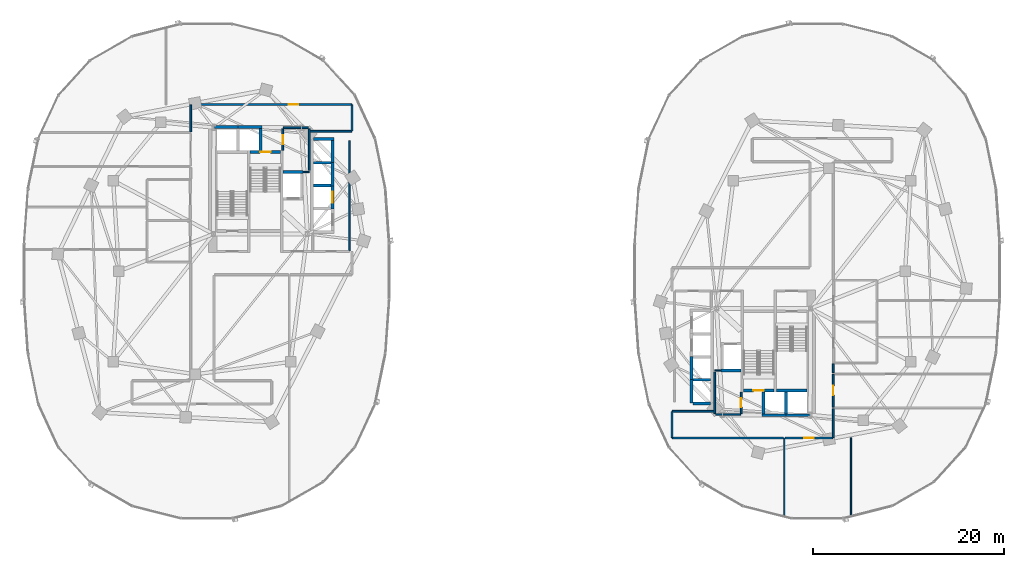
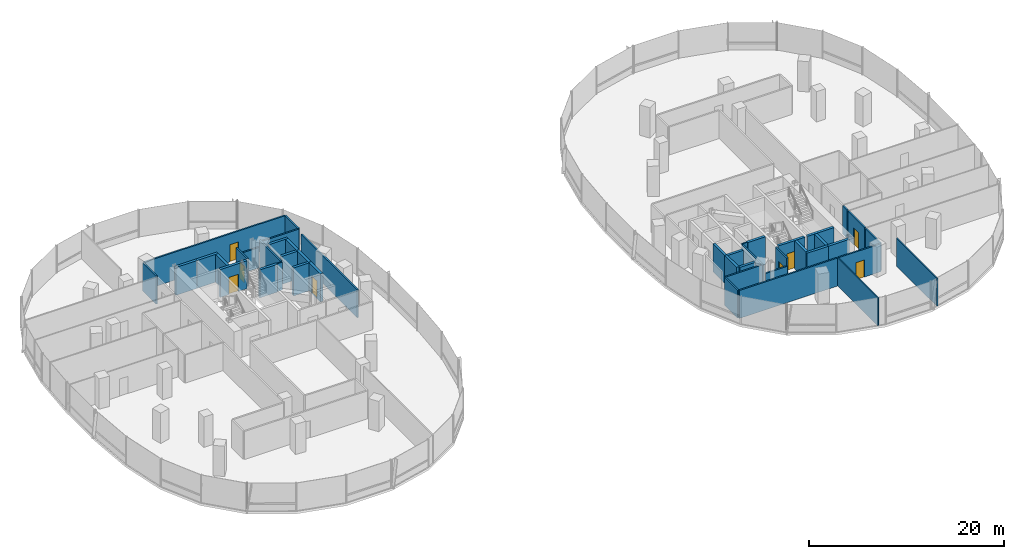
# One storey, part 12 of 21: 44 walls, 8 doors, 8 openings.
"""IFC4 building model written with IfcOpenShell, lengths in metres."""

from ifc_helpers import new_model, si_unit, direction, frame, frame_2d, origin, place, context, subcontext, project, spatial, rectangle, extrude, material, layer, layer_set, type_object, element, fill, save


model = new_model("IFC4")

# Units and contexts
model_context = context("Model", 3, precision=1e-05, world=origin(), true_north=direction((0.0, 1.0)))
body_context = subcontext(model_context, "Body", "Model", "MODEL_VIEW")
ifc_project = project(units=[si_unit("LENGTHUNIT", "METRE"), si_unit("AREAUNIT", "SQUARE_METRE"), si_unit("VOLUMEUNIT", "CUBIC_METRE"), si_unit("PLANEANGLEUNIT", "RADIAN"), si_unit("MASSUNIT", "GRAM", prefix="KILO"), si_unit("THERMODYNAMICTEMPERATUREUNIT", "KELVIN"), si_unit("POWERUNIT", "WATT")], contexts=[model_context])

# Site, building, storey
site_placement = place(None, origin())
site = spatial("IfcSite", under=ifc_project, at=site_placement, CompositionType="ELEMENT")
building_placement = place(site_placement, origin())
building = spatial("IfcBuilding", under=site, at=building_placement, Name="Cundina Bronze Exchange", CompositionType="ELEMENT")
storey_placement = place(building_placement, frame((0.0, 0.0, 27.800048828125)))
storey = spatial("IfcBuildingStorey", under=building, at=storey_placement, Name="L06", CompositionType="ELEMENT", Elevation=27.800048828125)

# Walls
ifc_material_1 = material(Name="Gypsum Fireboard Partition EI120")
ifc_layer_1 = layer(ifc_material_1, 0.179931640625, Name="Gypsum Fireboard Partition EI120")
ifc_layer_set_1 = layer_set([ifc_layer_1], Name="Gypsum Fireboard Partition EI120")
wall_type_1 = type_object("IfcWallType", Name="WL-COR-180", PredefinedType="PARTITIONING", material=ifc_layer_set_1)
wall_1_placement = place(storey_placement, frame((-17.02001953125, 2.169921875, 0.0), z_axis=(0.0, 0.0, 1.0), x_axis=(0.0, 1.0, 0.0)))
element("IfcWall", 1, at=wall_1_placement, inside=storey, type_object=wall_type_1, Name="L06 Interior Partition 001", PredefinedType="PARTITIONING", context=body_context, shape_type="SweptSolid", body=[
    extrude(rectangle(XDim=11.510009765625, YDim=0.179931640625, at=frame_2d((5.7548828125, 0.0))), origin(), (0.0, 0.0, 1.0), 3.5),
])
wall_2_placement = place(storey_placement, frame((-21.25, 10.570068359375, 0.0), z_axis=(0.0, 0.0, 1.0), x_axis=(0.0, 1.0, 0.0)))
element("IfcWall", 2, at=wall_2_placement, inside=storey, type_object=wall_type_1, Name="L06 Interior Partition 004", PredefinedType="PARTITIONING", context=body_context, shape_type="SweptSolid", body=[
    extrude(rectangle(XDim=4.35986328125, YDim=0.179931640625, at=frame_2d((2.179931640625, 0.0))), origin(), (0.0, 0.0, 1.0), 3.5),
])
wall_3_placement = place(storey_placement, frame((-23.9599609375, 15.030029296875, 0.0), z_axis=(0.0, 0.0, 1.0), x_axis=(1.0, 0.0, 0.0)))
element("IfcWall", 3, at=wall_3_placement, inside=storey, type_object=wall_type_1, Name="L06 Interior Partition 005", PredefinedType="PARTITIONING", context=body_context, shape_type="SweptSolid", body=[
    extrude(rectangle(XDim=2.60986328125, YDim=0.179931640625, at=frame_2d((1.304931640625, 0.0))), origin(), (0.0, 0.0, 1.0), 2.572998046875),
])

# Wall, opening, door
wall_4_placement = place(storey_placement, frame((-24.02001953125, 12.669921875, 0.0), z_axis=(0.0, 0.0, 1.0), x_axis=(0.0, 1.0, 0.0)))
wall_4 = element("IfcWall", 4, at=wall_4_placement, inside=storey, type_object=wall_type_1, Name="L06 Interior Partition 006", PredefinedType="PARTITIONING", context=body_context, shape_type="SweptSolid", body=[
    extrude(rectangle(XDim=2.260009765625, YDim=0.179931640625, at=frame_2d((1.1298828125, 0.0))), origin(), (0.0, 0.0, 1.0), 3.5),
])
opening_1_placement = place(wall_4_placement, frame((0.655029296875, 0.0, 0.0)))
opening_1 = element("IfcOpeningElement", 5, at=opening_1_placement, cuts=wall_4, Name="Opening DW-01", PredefinedType="OPENING", context=body_context, shape_type="SweptSolid", body=[
    extrude(rectangle(XDim=0.949951171875, YDim=2.10009765625, at=frame_2d((0.47509765625, 1.050048828125))), frame((0.0, 0.099853515625, 0.0), z_axis=(0.0, -1.0, 0.0), x_axis=(1.0, 0.0, 0.0)), (0.0, 0.0, 1.0), 0.199951171875),
])
ifc_material_2 = material(Name="Solid Andean Oak Timber Grade A", Category="wood")
door_type_1 = type_object("IfcDoorType", Name="DR-WC-950", OperationType="NOTDEFINED", PredefinedType="DOOR", material=ifc_material_2)
door_1_placement = place(opening_1_placement, origin())
door_1 = element("IfcDoor", 6, at=door_1_placement, inside=storey, type_object=door_type_1, Name="L06 Interior Door 006", OperationType="SINGLE_SWING_LEFT", OverallHeight=2.10009765625, OverallWidth=0.949951171875, PredefinedType="DOOR", context=body_context, shape_type="SweptSolid", body=[
    extrude(rectangle(XDim=0.949951171875, YDim=2.10009765625, at=frame_2d((0.47509765625, 1.050048828125))), frame((0.0, 0.02490234375, 0.0), z_axis=(0.0, -1.0, 0.0), x_axis=(1.0, 0.0, 0.0)), (0.0, 0.0, 1.0), 0.050048828125),
])
fill(opening_1, door_1)

wall_5_placement = place(storey_placement, frame((-16.821533203125, 17.469970703125, 0.0), z_axis=(0.0, 0.0, 1.0), x_axis=(-1.0, 0.0, 0.0)))
wall_5 = element("IfcWall", 7, at=wall_5_placement, inside=storey, type_object=wall_type_1, Name="L06 Interior Partition 028", PredefinedType="PARTITIONING", context=body_context, shape_type="SweptSolid", body=[
    extrude(rectangle(XDim=16.806884765625, YDim=0.179931640625, at=frame_2d((8.4033203125, 0.0))), origin(), (0.0, 0.0, 1.0), 3.5),
])
opening_2_placement = place(wall_5_placement, frame((5.568603515625, 0.0, 0.0)))
opening_2 = element("IfcOpeningElement", 8, at=opening_2_placement, cuts=wall_5, Name="Opening DO-01", PredefinedType="OPENING", context=body_context, shape_type="SweptSolid", body=[
    extrude(rectangle(XDim=1.0, YDim=2.14990234375, at=frame_2d((0.5, 1.074951171875))), frame((0.0, 0.099853515625, 0.0), z_axis=(0.0, -1.0, 0.0), x_axis=(1.0, 0.0, 0.0)), (0.0, 0.0, 1.0), 0.199951171875),
])
door_type_2 = type_object("IfcDoorType", Name="DR-OFF-1000", OperationType="NOTDEFINED", PredefinedType="DOOR", material=ifc_material_2)
door_2_placement = place(opening_2_placement, origin())
door_2 = element("IfcDoor", 9, at=door_2_placement, inside=storey, type_object=door_type_2, Name="L06 Interior Door 028", OperationType="SINGLE_SWING_LEFT", OverallHeight=2.14990234375, OverallWidth=1.0, PredefinedType="DOOR", context=body_context, shape_type="SweptSolid", body=[
    extrude(rectangle(XDim=1.0, YDim=2.14990234375, at=frame_2d((0.5, 1.074951171875))), frame((0.0, 0.02490234375, 0.0), z_axis=(0.0, -1.0, 0.0), x_axis=(1.0, 0.0, 0.0)), (0.0, 0.0, 1.0), 0.050048828125),
])
fill(opening_2, door_2)

# Walls
wall_6_placement = place(storey_placement, frame((-21.178466796875, 14.679931640625, 0.0), z_axis=(0.0, 0.0, 1.0), x_axis=(1.0, 0.0, 0.0)))
element("IfcWall", 10, at=wall_6_placement, inside=storey, type_object=wall_type_1, Name="L06 Interior Partition 030", PredefinedType="PARTITIONING", context=body_context, shape_type="SweptSolid", body=[
    extrude(rectangle(XDim=4.35693359375, YDim=0.179931640625, at=frame_2d((2.178466796875, 0.0))), origin(), (0.0, 0.0, 1.0), 3.5),
])
wall_7_placement = place(storey_placement, frame((-33.669921875, 17.428466796875, 0.0), z_axis=(0.0, 0.0, 1.0), x_axis=(0.0, -1.0, 0.0)))
element("IfcWall", 11, at=wall_7_placement, inside=storey, type_object=wall_type_1, Name="L06 Interior Partition 031", PredefinedType="PARTITIONING", context=body_context, shape_type="SweptSolid", body=[
    extrude(rectangle(XDim=2.818359375, YDim=0.179931640625, at=frame_2d((1.4091796875, 0.0))), origin(), (0.0, 0.0, 1.0), 3.5),
])
wall_8_placement = place(storey_placement, frame((-16.780029296875, 14.721435546875, 0.0), z_axis=(0.0, 0.0, 1.0), x_axis=(0.0, 1.0, 0.0)))
element("IfcWall", 12, at=wall_8_placement, inside=storey, type_object=wall_type_1, Name="L06 Interior Partition 032", PredefinedType="PARTITIONING", context=body_context, shape_type="SweptSolid", body=[
    extrude(rectangle(XDim=2.70703125, YDim=0.179931640625, at=frame_2d((1.353515625, 0.0))), origin(), (0.0, 0.0, 1.0), 3.5),
])
wall_9_placement = place(storey_placement, frame((21.25, -14.929931640625, 0.0), z_axis=(0.0, 0.0, 1.0), x_axis=(0.0, 1.0, 0.0)))
element("IfcWall", 13, at=wall_9_placement, inside=storey, type_object=wall_type_1, Name="L06 Interior Partition 041", PredefinedType="PARTITIONING", context=body_context, shape_type="SweptSolid", body=[
    extrude(rectangle(XDim=4.35986328125, YDim=0.179931640625, at=frame_2d((2.179931640625, 0.0))), origin(), (0.0, 0.0, 1.0), 3.5),
])
wall_10_placement = place(storey_placement, frame((21.35009765625, -15.030029296875, 0.0), z_axis=(0.0, 0.0, 1.0), x_axis=(1.0, 0.0, 0.0)))
element("IfcWall", 14, at=wall_10_placement, inside=storey, type_object=wall_type_1, Name="L06 Interior Partition 042", PredefinedType="PARTITIONING", context=body_context, shape_type="SweptSolid", body=[
    extrude(rectangle(XDim=2.60986328125, YDim=0.179931640625, at=frame_2d((1.304931640625, 0.0))), origin(), (0.0, 0.0, 1.0), 2.572998046875),
])

# Wall, opening, door
wall_11_placement = place(storey_placement, frame((24.02001953125, -14.929931640625, 0.0), z_axis=(0.0, 0.0, 1.0), x_axis=(0.0, 1.0, 0.0)))
wall_11 = element("IfcWall", 15, at=wall_11_placement, inside=storey, type_object=wall_type_1, Name="L06 Interior Partition 043", PredefinedType="PARTITIONING", context=body_context, shape_type="SweptSolid", body=[
    extrude(rectangle(XDim=2.260009765625, YDim=0.179931640625, at=frame_2d((1.1298828125, 0.0))), origin(), (0.0, 0.0, 1.0), 3.5),
])
opening_3_placement = place(wall_11_placement, frame((0.655029296875, 0.0, 0.0)))
opening_3 = element("IfcOpeningElement", 16, at=opening_3_placement, cuts=wall_11, Name="Opening DW-01", PredefinedType="OPENING", context=body_context, shape_type="SweptSolid", body=[
    extrude(rectangle(XDim=0.949951171875, YDim=2.10009765625, at=frame_2d((0.47509765625, 1.050048828125))), frame((0.0, 0.099853515625, 0.0), z_axis=(0.0, -1.0, 0.0), x_axis=(1.0, 0.0, 0.0)), (0.0, 0.0, 1.0), 0.199951171875),
])
door_3_placement = place(opening_3_placement, origin())
door_3 = element("IfcDoor", 17, at=door_3_placement, inside=storey, type_object=door_type_1, Name="L06 Interior Door 043", OperationType="SINGLE_SWING_RIGHT", OverallHeight=2.10009765625, OverallWidth=0.949951171875, PredefinedType="DOOR", context=body_context, shape_type="SweptSolid", body=[
    extrude(rectangle(XDim=0.949951171875, YDim=2.10009765625, at=frame_2d((0.47509765625, 1.050048828125))), frame((0.0, 0.02490234375, 0.0), z_axis=(0.0, -1.0, 0.0), x_axis=(1.0, 0.0, 0.0)), (0.0, 0.0, 1.0), 0.050048828125),
])
fill(opening_3, door_3)

wall_12_placement = place(storey_placement, frame((28.6298828125, -17.469970703125, 0.0), z_axis=(0.0, 0.0, 1.0), x_axis=(1.0, 0.0, 0.0)))
wall_12 = element("IfcWall", 18, at=wall_12_placement, inside=storey, type_object=wall_type_1, Name="L06 Interior Partition 057", PredefinedType="PARTITIONING", context=body_context, shape_type="SweptSolid", body=[
    extrude(rectangle(XDim=4.99853515625, YDim=0.179931640625, at=frame_2d((2.499267578125, 0.0))), origin(), (0.0, 0.0, 1.0), 3.5),
])
opening_4_placement = place(wall_12_placement, frame((1.999267578125, 0.0, 0.0)))
opening_4 = element("IfcOpeningElement", 19, at=opening_4_placement, cuts=wall_12, Name="Opening DO-01", PredefinedType="OPENING", context=body_context, shape_type="SweptSolid", body=[
    extrude(rectangle(XDim=1.0, YDim=2.14990234375, at=frame_2d((0.5, 1.074951171875))), frame((0.0, 0.099853515625, 0.0), z_axis=(0.0, -1.0, 0.0), x_axis=(1.0, 0.0, 0.0)), (0.0, 0.0, 1.0), 0.199951171875),
])
door_4_placement = place(opening_4_placement, origin())
door_4 = element("IfcDoor", 20, at=door_4_placement, inside=storey, type_object=door_type_2, Name="L06 Interior Door 057", OperationType="SINGLE_SWING_RIGHT", OverallHeight=2.14990234375, OverallWidth=1.0, PredefinedType="DOOR", context=body_context, shape_type="SweptSolid", body=[
    extrude(rectangle(XDim=1.0, YDim=2.14990234375, at=frame_2d((0.5, 1.074951171875))), frame((0.0, 0.02490234375, 0.0), z_axis=(0.0, -1.0, 0.0), x_axis=(1.0, 0.0, 0.0)), (0.0, 0.0, 1.0), 0.050048828125),
])
fill(opening_4, door_4)

# Wall
wall_13_placement = place(storey_placement, frame((33.669921875, -17.428466796875, 0.0), z_axis=(0.0, 0.0, 1.0), x_axis=(0.0, 1.0, 0.0)))
element("IfcWall", 21, at=wall_13_placement, inside=storey, type_object=wall_type_1, Name="L06 Interior Partition 058", PredefinedType="PARTITIONING", context=body_context, shape_type="SweptSolid", body=[
    extrude(rectangle(XDim=3.0185546875, YDim=0.179931640625, at=frame_2d((1.50927734375, 0.0))), origin(), (0.0, 0.0, 1.0), 3.5),
])

# Wall, opening, door
wall_14_placement = place(storey_placement, frame((33.669921875, -14.22998046875, 0.0), z_axis=(0.0, 0.0, 1.0), x_axis=(0.0, 1.0, 0.0)))
wall_14 = element("IfcWall", 22, at=wall_14_placement, inside=storey, type_object=wall_type_1, Name="L06 Interior Partition 059", PredefinedType="PARTITIONING", context=body_context, shape_type="SweptSolid", body=[
    extrude(rectangle(XDim=3.419921875, YDim=0.179931640625, at=frame_2d((1.7099609375, 0.0))), origin(), (0.0, 0.0, 1.0), 3.5),
])
opening_5_placement = place(wall_14_placement, frame((1.2099609375, 0.0, 0.0)))
opening_5 = element("IfcOpeningElement", 23, at=opening_5_placement, cuts=wall_14, Name="Opening DO-01", PredefinedType="OPENING", context=body_context, shape_type="SweptSolid", body=[
    extrude(rectangle(XDim=1.0, YDim=2.14990234375, at=frame_2d((0.5, 1.074951171875))), frame((0.0, 0.099853515625, 0.0), z_axis=(0.0, -1.0, 0.0), x_axis=(1.0, 0.0, 0.0)), (0.0, 0.0, 1.0), 0.199951171875),
])
door_5_placement = place(opening_5_placement, origin())
door_5 = element("IfcDoor", 24, at=door_5_placement, inside=storey, type_object=door_type_2, Name="L06 Interior Door 059", OperationType="SINGLE_SWING_RIGHT", OverallHeight=2.14990234375, OverallWidth=1.0, PredefinedType="DOOR", context=body_context, shape_type="SweptSolid", body=[
    extrude(rectangle(XDim=1.0, YDim=2.14990234375, at=frame_2d((0.5, 1.074951171875))), frame((0.0, 0.02490234375, 0.0), z_axis=(0.0, -1.0, 0.0), x_axis=(1.0, 0.0, 0.0)), (0.0, 0.0, 1.0), 0.050048828125),
])
fill(opening_5, door_5)

# Walls
wall_15_placement = place(storey_placement, frame((33.669921875, -10.6298828125, 0.0), z_axis=(0.0, 0.0, 1.0), x_axis=(0.0, 1.0, 0.0)))
element("IfcWall", 25, at=wall_15_placement, inside=storey, type_object=wall_type_1, Name="L06 Interior Partition 060", PredefinedType="PARTITIONING", context=body_context, shape_type="SweptSolid", body=[
    extrude(rectangle(XDim=0.928466796875, YDim=0.179931640625, at=frame_2d((0.46435546875, 0.0))), origin(), (0.0, 0.0, 1.0), 3.5),
])
wall_16_placement = place(storey_placement, frame((16.821533203125, -17.469970703125, 0.0), z_axis=(0.0, 0.0, 1.0), x_axis=(1.0, 0.0, 0.0)))
element("IfcWall", 26, at=wall_16_placement, inside=storey, type_object=wall_type_1, Name="L06 Interior Partition 064", PredefinedType="PARTITIONING", context=body_context, shape_type="SweptSolid", body=[
    extrude(rectangle(XDim=11.62841796875, YDim=0.179931640625, at=frame_2d((5.814208984375, 0.0))), origin(), (0.0, 0.0, 1.0), 3.5),
])
wall_17_placement = place(storey_placement, frame((21.178466796875, -14.679931640625, 0.0), z_axis=(0.0, 0.0, 1.0), x_axis=(-1.0, 0.0, 0.0)))
element("IfcWall", 27, at=wall_17_placement, inside=storey, type_object=wall_type_1, Name="L06 Interior Partition 068", PredefinedType="PARTITIONING", context=body_context, shape_type="SweptSolid", body=[
    extrude(rectangle(XDim=4.35693359375, YDim=0.179931640625, at=frame_2d((2.178466796875, 0.0))), origin(), (0.0, 0.0, 1.0), 3.5),
])
wall_18_placement = place(storey_placement, frame((16.780029296875, -14.721435546875, 0.0), z_axis=(0.0, 0.0, 1.0), x_axis=(0.0, -1.0, 0.0)))
element("IfcWall", 28, at=wall_18_placement, inside=storey, type_object=wall_type_1, Name="L06 Interior Partition 069", PredefinedType="PARTITIONING", context=body_context, shape_type="SweptSolid", body=[
    extrude(rectangle(XDim=2.70703125, YDim=0.179931640625, at=frame_2d((1.353515625, 0.0))), origin(), (0.0, 0.0, 1.0), 3.5),
])
ifc_material_3 = material(Name="Gypsum Acoustic Partition EI60")
ifc_layer_2 = layer(ifc_material_3, 0.125, Name="Gypsum Acoustic Partition EI60")
ifc_layer_set_2 = layer_set([ifc_layer_2], Name="Gypsum Acoustic Partition EI60")
wall_type_2 = type_object("IfcWallType", Name="WL-OFF-125", PredefinedType="PARTITIONING", material=ifc_layer_set_2)
wall_19_placement = place(storey_placement, frame((28.5400390625, -25.793701171875, 0.0), z_axis=(0.0, 0.0, 1.0), x_axis=(0.0, 1.0, 0.0)))
element("IfcWall", 29, at=wall_19_placement, inside=storey, type_object=wall_type_2, Name="L06 Interior Partition 055", PredefinedType="PARTITIONING", context=body_context, shape_type="SweptSolid", body=[
    extrude(rectangle(XDim=8.293701171875, YDim=0.125, at=frame_2d((4.14697265625, 0.0))), origin(), (0.0, 0.0, 1.0), 3.5),
])
wall_20_placement = place(storey_placement, frame((35.5400390625, -25.7734375, 0.0), z_axis=(0.0, 0.0, 1.0), x_axis=(0.0, 1.0, 0.0)))
element("IfcWall", 30, at=wall_20_placement, inside=storey, type_object=wall_type_2, Name="L06 Interior Partition 056", PredefinedType="PARTITIONING", context=body_context, shape_type="SweptSolid", body=[
    extrude(rectangle(XDim=8.303466796875, YDim=0.125, at=frame_2d((4.15185546875, 0.0))), origin(), (0.0, 0.0, 1.0), 3.5),
])

# Wall, opening, door
ifc_material_4 = material(Name="Concrete C50/60", Category="concrete")
ifc_layer_3 = layer(ifc_material_4, 0.300048828125, Name="Concrete C50/60", Category="concrete")
ifc_layer_set_3 = layer_set([ifc_layer_3], Name="Concrete C50/60")
wall_type_3 = type_object("IfcWallType", Name="WL-SHFT-300", PredefinedType="SHEAR", material=ifc_layer_set_3)
wall_21_placement = place(storey_placement, frame((-27.43994140625, 12.5, 0.0), z_axis=(0.0, 0.0, 1.0), x_axis=(1.0, 0.0, 0.0)))
wall_21 = element("IfcWall", 31, at=wall_21_placement, inside=storey, type_object=wall_type_3, Name="L06 Stair W2 Landing Wall", PredefinedType="SHEAR", context=body_context, shape_type="SweptSolid", body=[
    extrude(rectangle(XDim=3.159912109375, YDim=0.300048828125, at=frame_2d((1.580078125, 0.0))), origin(), (0.0, 0.0, 1.0), 3.5),
])
opening_6_placement = place(wall_21_placement, frame((1.030029296875, 0.0, 0.0)))
opening_6 = element("IfcOpeningElement", 32, at=opening_6_placement, cuts=wall_21, Name="Opening DS-01", PredefinedType="OPENING", context=body_context, shape_type="SweptSolid", body=[
    extrude(rectangle(XDim=1.10009765625, YDim=2.14990234375, at=frame_2d((0.550048828125, 1.074951171875))), frame((0.0, 0.159912109375, 0.0), z_axis=(0.0, -1.0, 0.0), x_axis=(1.0, 0.0, 0.0)), (0.0, 0.0, 1.0), 0.320068359375),
])
ifc_material_5 = material(Name="Steel ASTM A36 Painted", Category="steel")
door_type_3 = type_object("IfcDoorType", Name="DR-STR-1100", OperationType="NOTDEFINED", PredefinedType="DOOR", material=ifc_material_5)
door_6_placement = place(opening_6_placement, origin())
door_6 = element("IfcDoor", 33, at=door_6_placement, inside=storey, type_object=door_type_3, Name="L06 Smokeproof Stair W2 Door", OperationType="SINGLE_SWING_LEFT", OverallHeight=2.14990234375, OverallWidth=1.10009765625, PredefinedType="DOOR", context=body_context, shape_type="SweptSolid", body=[
    extrude(rectangle(XDim=1.10009765625, YDim=2.14990234375, at=frame_2d((0.550048828125, 1.074951171875))), frame((0.0, 0.02490234375, 0.0), z_axis=(0.0, -1.0, 0.0), x_axis=(1.0, 0.0, 0.0)), (0.0, 0.0, 1.0), 0.050048828125),
])
fill(opening_6, door_6)

# Walls
wall_22_placement = place(storey_placement, frame((-23.97998046875, 10.39990234375, 0.0), z_axis=(0.0, 0.0, 1.0), x_axis=(1.0, 0.0, 0.0)))
element("IfcWall", 34, at=wall_22_placement, inside=storey, type_object=wall_type_3, Name="L06 FFL-W Hoistway Back Wall", PredefinedType="SHEAR", context=body_context, shape_type="SweptSolid", body=[
    extrude(rectangle(XDim=2.10009765625, YDim=0.300048828125, at=frame_2d((1.050048828125, 0.0))), origin(), (0.0, 0.0, 1.0), 3.5),
])
for number, where, z_axis, x_axis, name in (
    (35, (-31.199951171875, 15.10009765625, 0.0), (0.0, 0.0, 1.0), (1.0, 0.0, 0.0), "L06 PH-W1 Hoistway Front Wall"),
    (36, (-28.699951171875, 15.10009765625, 0.0), (0.0, 0.0, 1.0), (1.0, 0.0, 0.0), "L06 PH-W2 Hoistway Front Wall"),
):
    element("IfcWall", number, at=place(storey_placement, frame(where, z_axis=z_axis, x_axis=x_axis)), inside=storey, type_object=wall_type_3, Name=name, PredefinedType="SHEAR", context=body_context, shape_type="SweptSolid", body=[
        extrude(rectangle(XDim=2.5, YDim=0.300048828125, at=frame_2d((1.25, 0.0))), origin(), (0.0, 0.0, 1.0), 3.5),
    ])
wall_23_placement = place(storey_placement, frame((-26.35009765625, 12.64990234375, 0.0), z_axis=(0.0, 0.0, 1.0), x_axis=(0.0, 1.0, 0.0)))
element("IfcWall", 37, at=wall_23_placement, inside=storey, type_object=wall_type_3, Name="L06 PH-W2 Hoistway Divider Wall", PredefinedType="SHEAR", context=body_context, shape_type="SweptSolid", body=[
    extrude(rectangle(XDim=2.300048828125, YDim=0.300048828125, at=frame_2d((1.14990234375, 0.0))), origin(), (0.0, 0.0, 1.0), 3.5),
])
wall_24_placement = place(storey_placement, frame((-20.800048828125, 13.85009765625, 0.0), z_axis=(0.0, 0.0, 1.0), x_axis=(1.0, 0.0, 0.0)))
element("IfcWall", 38, at=wall_24_placement, inside=storey, type_object=wall_type_3, Name="L06 W Passenger Bank North Cap Wall", PredefinedType="SHEAR", context=body_context, shape_type="SweptSolid", body=[
    extrude(rectangle(XDim=2.150146484375, YDim=0.300048828125, at=frame_2d((1.0751953125, 0.0))), origin(), (0.0, 0.0, 1.0), 3.5),
])
for number, where, z_axis, x_axis, name in (
    (39, (-20.800048828125, 8.97509765625, 0.0), (0.0, 0.0, 1.0), (1.0, 0.0, 0.0), "L06 W Passenger Hoistway Divider 2"),
    (40, (-20.800048828125, 11.375, 0.0), (0.0, 0.0, 1.0), (1.0, 0.0, 0.0), "L06 W Passenger Hoistway Divider 3"),
):
    element("IfcWall", number, at=place(storey_placement, frame(where, z_axis=z_axis, x_axis=x_axis)), inside=storey, type_object=wall_type_3, Name=name, PredefinedType="SHEAR", context=body_context, shape_type="SweptSolid", body=[
        extrude(rectangle(XDim=1.85009765625, YDim=0.300048828125, at=frame_2d((0.925048828125, 0.0))), origin(), (0.0, 0.0, 1.0), 3.5),
    ])

# Wall, opening, door
wall_25_placement = place(storey_placement, frame((-18.800048828125, 6.530029296875, 0.0), z_axis=(0.0, 0.0, 1.0), x_axis=(0.0, 1.0, 0.0)))
wall_25 = element("IfcWall", 41, at=wall_25_placement, inside=storey, type_object=wall_type_3, Name="L06 PL-W1 Hoistway Front Wall", PredefinedType="SHEAR", context=body_context, shape_type="SweptSolid", body=[
    extrude(rectangle(XDim=2.489990234375, YDim=0.300048828125, at=frame_2d((1.2451171875, 0.0))), origin(), (0.0, 0.0, 1.0), 3.5),
])
opening_7_placement = place(wall_25_placement, frame((0.669921875, 0.0, 0.0)))
opening_7 = element("IfcOpeningElement", 42, at=opening_7_placement, cuts=wall_25, Name="Opening LD-01", PredefinedType="OPENING", context=body_context, shape_type="SweptSolid", body=[
    extrude(rectangle(XDim=1.14990234375, YDim=2.199951171875, at=frame_2d((0.574951171875, 1.10009765625))), frame((0.0, 0.159912109375, 0.0), z_axis=(0.0, -1.0, 0.0), x_axis=(1.0, 0.0, 0.0)), (0.0, 0.0, 1.0), 0.320068359375),
])
door_type_4 = type_object("IfcDoorType", Name="DR-LND-1150", OperationType="NOTDEFINED", PredefinedType="TRAPDOOR", material=ifc_material_5)
door_7_placement = place(opening_7_placement, origin())
door_7 = element("IfcDoor", 43, at=door_7_placement, inside=storey, type_object=door_type_4, Name="L06 PL-W1 Sliding Landing Door", OperationType="SLIDING_TO_LEFT", OverallHeight=2.199951171875, OverallWidth=1.14990234375, PredefinedType="TRAPDOOR", context=body_context, shape_type="SweptSolid", body=[
    extrude(rectangle(XDim=1.14990234375, YDim=2.199951171875, at=frame_2d((0.574951171875, 1.10009765625))), frame((0.0, 0.02490234375, 0.0), z_axis=(0.0, -1.0, 0.0), x_axis=(1.0, 0.0, 0.0)), (0.0, 0.0, 1.0), 0.050048828125),
])
fill(opening_7, door_7)

# Walls
for number, where, z_axis, x_axis, name in (
    (44, (-18.800048828125, 8.929931640625, 0.0), (0.0, 0.0, 1.0), (0.0, 1.0, 0.0), "L06 PM-W2 Hoistway Front Wall"),
    (45, (-18.800048828125, 11.330078125, 0.0), (0.0, 0.0, 1.0), (0.0, 1.0, 0.0), "L06 PM-W1 Hoistway Front Wall"),
):
    element("IfcWall", number, at=place(storey_placement, frame(where, z_axis=z_axis, x_axis=x_axis)), inside=storey, type_object=wall_type_3, Name=name, PredefinedType="SHEAR", context=body_context, shape_type="SweptSolid", body=[
        extrude(rectangle(XDim=2.489990234375, YDim=0.300048828125, at=frame_2d((1.2451171875, 0.0))), origin(), (0.0, 0.0, 1.0), 3.5),
    ])
wall_26_placement = place(storey_placement, frame((27.739990234375, -12.5, 0.0), z_axis=(0.0, 0.0, 1.0), x_axis=(1.0, 0.0, 0.0)))
element("IfcWall", 46, at=wall_26_placement, inside=storey, type_object=wall_type_3, Name="L06 Stair E1 Far Shaft Wall", PredefinedType="SHEAR", context=body_context, shape_type="SweptSolid", body=[
    extrude(rectangle(XDim=3.159912109375, YDim=0.300048828125, at=frame_2d((1.580078125, 0.0))), origin(), (0.0, 0.0, 1.0), 3.5),
])

# Wall, opening, door
wall_27_placement = place(storey_placement, frame((24.280029296875, -12.5, 0.0), z_axis=(0.0, 0.0, 1.0), x_axis=(1.0, 0.0, 0.0)))
wall_27 = element("IfcWall", 47, at=wall_27_placement, inside=storey, type_object=wall_type_3, Name="L06 Stair E2 Landing Wall", PredefinedType="SHEAR", context=body_context, shape_type="SweptSolid", body=[
    extrude(rectangle(XDim=3.159912109375, YDim=0.300048828125, at=frame_2d((1.580078125, 0.0))), origin(), (0.0, 0.0, 1.0), 3.5),
])
opening_8_placement = place(wall_27_placement, frame((1.030029296875, 0.0, 0.0)))
opening_8 = element("IfcOpeningElement", 48, at=opening_8_placement, cuts=wall_27, Name="Opening DS-01", PredefinedType="OPENING", context=body_context, shape_type="SweptSolid", body=[
    extrude(rectangle(XDim=1.10009765625, YDim=2.14990234375, at=frame_2d((0.550048828125, 1.074951171875))), frame((0.0, 0.159912109375, 0.0), z_axis=(0.0, -1.0, 0.0), x_axis=(1.0, 0.0, 0.0)), (0.0, 0.0, 1.0), 0.320068359375),
])
door_8_placement = place(opening_8_placement, origin())
door_8 = element("IfcDoor", 49, at=door_8_placement, inside=storey, type_object=door_type_3, Name="L06 Smokeproof Stair E2 Door", OperationType="SINGLE_SWING_RIGHT", OverallHeight=2.14990234375, OverallWidth=1.10009765625, PredefinedType="DOOR", context=body_context, shape_type="SweptSolid", body=[
    extrude(rectangle(XDim=1.10009765625, YDim=2.14990234375, at=frame_2d((0.550048828125, 1.074951171875))), frame((0.0, 0.02490234375, 0.0), z_axis=(0.0, -1.0, 0.0), x_axis=(1.0, 0.0, 0.0)), (0.0, 0.0, 1.0), 0.050048828125),
])
fill(opening_8, door_8)

# Walls
wall_28_placement = place(storey_placement, frame((21.8798828125, -10.39990234375, 0.0), z_axis=(0.0, 0.0, 1.0), x_axis=(1.0, 0.0, 0.0)))
element("IfcWall", 50, at=wall_28_placement, inside=storey, type_object=wall_type_3, Name="L06 FFL-E Hoistway Back Wall", PredefinedType="SHEAR", context=body_context, shape_type="SweptSolid", body=[
    extrude(rectangle(XDim=2.10009765625, YDim=0.300048828125, at=frame_2d((1.050048828125, 0.0))), origin(), (0.0, 0.0, 1.0), 3.5),
])
wall_29_placement = place(storey_placement, frame((28.699951171875, -15.10009765625, 0.0), z_axis=(0.0, 0.0, 1.0), x_axis=(1.0, 0.0, 0.0)))
element("IfcWall", 51, at=wall_29_placement, inside=storey, type_object=wall_type_3, Name="L06 PH-E1 Hoistway Front Wall", PredefinedType="SHEAR", context=body_context, shape_type="SweptSolid", body=[
    extrude(rectangle(XDim=2.5, YDim=0.300048828125, at=frame_2d((1.25, 0.0))), origin(), (0.0, 0.0, 1.0), 3.5),
])
wall_30_placement = place(storey_placement, frame((28.699951171875, -14.949951171875, 0.0), z_axis=(0.0, 0.0, 1.0), x_axis=(0.0, 1.0, 0.0)))
element("IfcWall", 52, at=wall_30_placement, inside=storey, type_object=wall_type_3, Name="L06 PH-E1 Hoistway Divider Wall", PredefinedType="SHEAR", context=body_context, shape_type="SweptSolid", body=[
    extrude(rectangle(XDim=2.300048828125, YDim=0.300048828125, at=frame_2d((1.14990234375, 0.0))), origin(), (0.0, 0.0, 1.0), 3.5),
])
wall_31_placement = place(storey_placement, frame((26.199951171875, -15.10009765625, 0.0), z_axis=(0.0, 0.0, 1.0), x_axis=(1.0, 0.0, 0.0)))
element("IfcWall", 53, at=wall_31_placement, inside=storey, type_object=wall_type_3, Name="L06 PH-E2 Hoistway Front Wall", PredefinedType="SHEAR", context=body_context, shape_type="SweptSolid", body=[
    extrude(rectangle(XDim=2.5, YDim=0.300048828125, at=frame_2d((1.25, 0.0))), origin(), (0.0, 0.0, 1.0), 3.5),
])
wall_32_placement = place(storey_placement, frame((26.35009765625, -14.949951171875, 0.0), z_axis=(0.0, 0.0, 1.0), x_axis=(0.0, 1.0, 0.0)))
element("IfcWall", 54, at=wall_32_placement, inside=storey, type_object=wall_type_3, Name="L06 PH-E2 Hoistway Divider Wall", PredefinedType="SHEAR", context=body_context, shape_type="SweptSolid", body=[
    extrude(rectangle(XDim=2.300048828125, YDim=0.300048828125, at=frame_2d((1.14990234375, 0.0))), origin(), (0.0, 0.0, 1.0), 3.5),
])
for number, where, z_axis, x_axis, name in (
    (55, (18.949951171875, -13.85009765625, 0.0), (0.0, 0.0, 1.0), (1.0, 0.0, 0.0), "L06 E Passenger Bank South Cap Wall"),
    (56, (18.949951171875, -11.375, 0.0), (0.0, 0.0, 1.0), (1.0, 0.0, 0.0), "L06 E Passenger Hoistway Divider 1"),
):
    element("IfcWall", number, at=place(storey_placement, frame(where, z_axis=z_axis, x_axis=x_axis)), inside=storey, type_object=wall_type_3, Name=name, PredefinedType="SHEAR", context=body_context, shape_type="SweptSolid", body=[
        extrude(rectangle(XDim=1.85009765625, YDim=0.300048828125, at=frame_2d((0.925048828125, 0.0))), origin(), (0.0, 0.0, 1.0), 3.5),
    ])
for number, where, z_axis, x_axis, name in (
    (57, (18.800048828125, -13.820068359375, 0.0), (0.0, 0.0, 1.0), (0.0, 1.0, 0.0), "L06 PM-E1 Hoistway Front Wall"),
    (58, (18.800048828125, -11.419921875, 0.0), (0.0, 0.0, 1.0), (0.0, 1.0, 0.0), "L06 PM-E2 Hoistway Front Wall"),
):
    element("IfcWall", number, at=place(storey_placement, frame(where, z_axis=z_axis, x_axis=x_axis)), inside=storey, type_object=wall_type_3, Name=name, PredefinedType="SHEAR", context=body_context, shape_type="SweptSolid", body=[
        extrude(rectangle(XDim=2.489990234375, YDim=0.300048828125, at=frame_2d((1.2451171875, 0.0))), origin(), (0.0, 0.0, 1.0), 3.5),
    ])
ifc_material_6 = material(Name="Moisture-Resistant Masonry Block Grade M15", Category="masonry")
ifc_layer_4 = layer(ifc_material_6, 0.139892578125, Name="Moisture-Resistant Masonry Block Grade M15", Category="masonry")
ifc_layer_set_4 = layer_set([ifc_layer_4], Name="Moisture-Resistant Masonry Block Grade M15")
wall_type_4 = type_object("IfcWallType", Name="WL-WET-140", PredefinedType="PARTITIONING", material=ifc_layer_set_4)
for number, where, z_axis, x_axis, name in (
    (59, (-21.860107421875, 10.39990234375, 0.0), (0.0, 0.0, 1.0), (1.0, 0.0, 0.0), "L06 Interior Partition 003"),
    (60, (21.27001953125, -10.39990234375, 0.0), (0.0, 0.0, 1.0), (1.0, 0.0, 0.0), "L06 Interior Partition 040"),
):
    element("IfcWall", number, at=place(storey_placement, frame(where, z_axis=z_axis, x_axis=x_axis)), inside=storey, type_object=wall_type_4, Name=name, PredefinedType="PARTITIONING", context=body_context, shape_type="SweptSolid", body=[
        extrude(rectangle(XDim=0.590087890625, YDim=0.139892578125, at=frame_2d((0.294921875, 0.0))), origin(), (0.0, 0.0, 1.0), 3.5),
    ])

save(model, "model.ifc")
